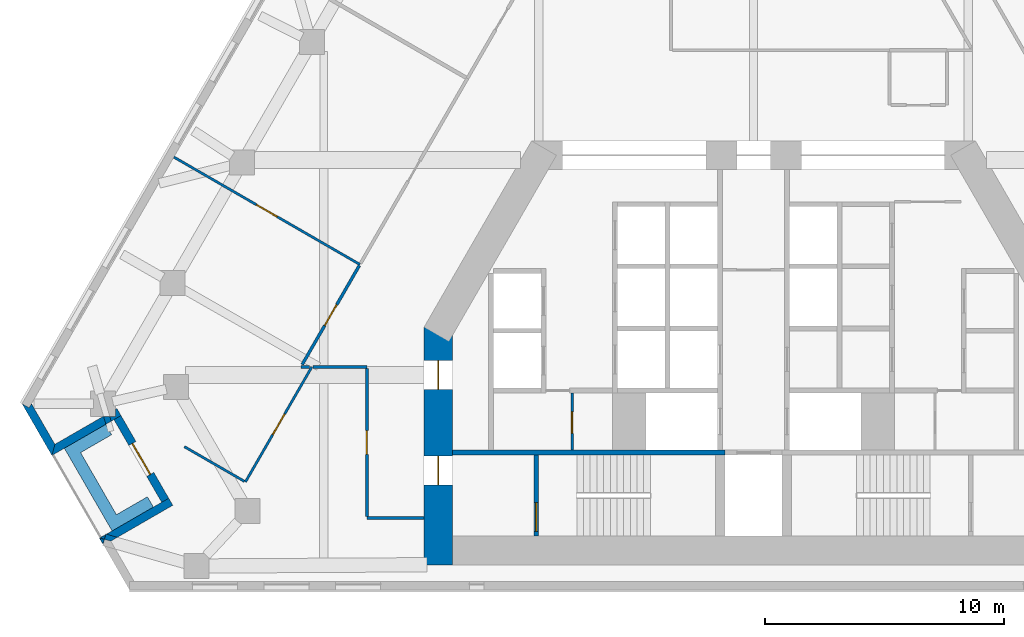
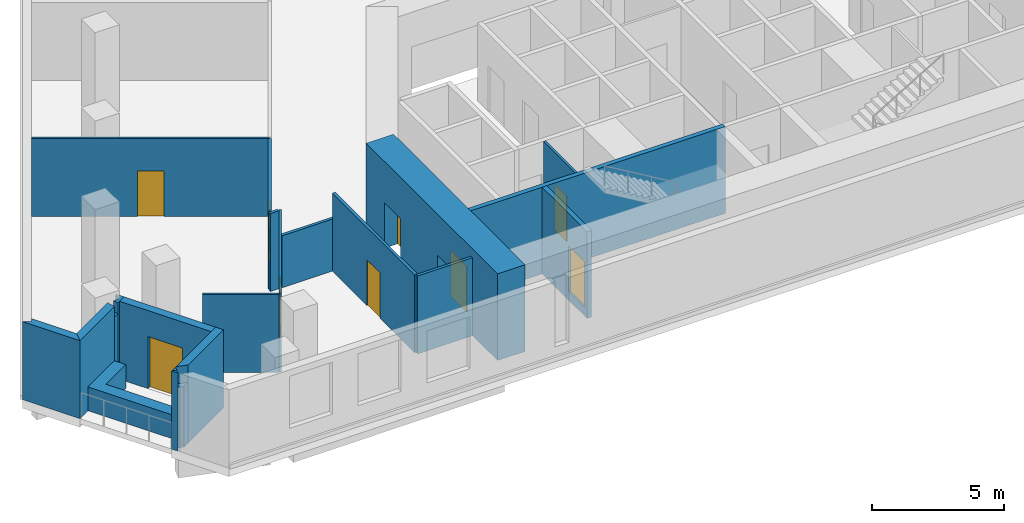
# One storey, part 3 of 9: 22 walls, 9 doors, 9 openings.
"""IFC4 building model written with IfcOpenShell, lengths in metres."""

from ifc_helpers import new_model, si_unit, direction, frame, frame_2d, origin, place, context, subcontext, project, spatial, polyline, rectangle, outline, extrude, material, layer, layer_set, type_object, element, fill, save


model = new_model("IFC4")

# Units and contexts
model_context = context("Model", 3, precision=1e-05, world=origin(), true_north=direction((0.0, 1.0)))
body_context = subcontext(model_context, "Body", "Model", "MODEL_VIEW")
ifc_project = project(units=[si_unit("LENGTHUNIT", "METRE"), si_unit("AREAUNIT", "SQUARE_METRE"), si_unit("VOLUMEUNIT", "CUBIC_METRE"), si_unit("PLANEANGLEUNIT", "RADIAN"), si_unit("MASSUNIT", "GRAM", prefix="KILO")], contexts=[model_context])

# Site, building, storey
site_placement = place(None, origin())
site = spatial("IfcSite", under=ifc_project, at=site_placement, CompositionType="ELEMENT")
building_placement = place(site_placement, origin())
building = spatial("IfcBuilding", under=site, at=building_placement, Name="Fogline Exchange Tower", CompositionType="ELEMENT")
storey_placement = place(building_placement, frame((0.0, 0.0, 100.10009765625)))
storey = spatial("IfcBuildingStorey", under=building, at=storey_placement, Name="L21", CompositionType="ELEMENT", Elevation=100.10009765625)

# Wall, opening, door
ifc_material_1 = material(Name="Blockwork partition", Category="masonry")
ifc_layer_1 = layer(ifc_material_1, 0.10009765625)
ifc_layer_set_1 = layer_set([ifc_layer_1], Name="CW10")
wall_type_1 = type_object("IfcWallType", Name="CW10", PredefinedType="PARTITIONING", material=ifc_layer_set_1)
wall_1_placement = place(storey_placement, frame((-7.60009765625, 5.85009765625, 0.0), z_axis=(0.0, 0.0, 1.0), x_axis=(0.0, 1.0, 0.0)))
wall_1 = element("IfcWall", 1, at=wall_1_placement, inside=storey, type_object=wall_type_1, Name="WC partition", PredefinedType="PARTITIONING", context=body_context, shape_type="SweptSolid", body=[
    extrude(rectangle(XDim=2.39990234375, YDim=0.10009765625, at=frame_2d((1.199951171875, 0.0))), origin(), (0.0, 0.0, 1.0), 3.599853515625),
])
opening_1_placement = place(wall_1_placement, frame((0.699951171875, 0.0, 0.0)))
opening_1 = element("IfcOpeningElement", 2, at=opening_1_placement, cuts=wall_1, Name="Opening T06-C008", PredefinedType="OPENING", context=body_context, shape_type="SweptSolid", body=[
    extrude(rectangle(XDim=0.89990234375, YDim=2.10009765625, at=frame_2d((0.449951171875, 1.050048828125))), frame((0.0, 0.06005859375, 0.0), z_axis=(0.0, -1.0, 0.0), x_axis=(1.0, 0.0, 0.0)), (0.0, 0.0, 1.0), 0.1201171875),
])
ifc_material_2 = material(Name="Steel and timber fire door", Category="steel")
door_type_1 = type_object("IfcDoorType", Name="D-CS1", OperationType="SINGLE_SWING_RIGHT", PredefinedType="DOOR", material=ifc_material_2)
door_1_placement = place(opening_1_placement, frame((0.89990234375, 0.0, 0.0), z_axis=(0.0, 0.0, 1.0), x_axis=(-1.0, 0.0, 0.0)))
door_1 = element("IfcDoor", 3, at=door_1_placement, inside=storey, type_object=door_type_1, Name="Door to Cleaner's Store", OperationType="SINGLE_SWING_RIGHT", OverallHeight=2.10009765625, OverallWidth=0.89990234375, PredefinedType="DOOR", context=body_context, shape_type="SweptSolid", body=[
    extrude(rectangle(XDim=0.89990234375, YDim=2.10009765625, at=frame_2d((0.449951171875, 1.050048828125))), frame((0.0, 0.02490234375, 0.0), z_axis=(0.0, -1.0, 0.0), x_axis=(1.0, 0.0, 0.0)), (0.0, 0.0, 1.0), 0.050048828125),
])
fill(opening_1, door_1)

# Wall
ifc_material_3 = material(Name="Concrete C40", Category="concrete")
ifc_layer_2 = layer(ifc_material_3, 0.199951171875)
ifc_layer_set_2 = layer_set([ifc_layer_2], Name="CW20R")
wall_type_2 = type_object("IfcWallType", Name="CW20R", PredefinedType="SOLIDWALL", material=ifc_layer_set_2)
wall_2_placement = place(storey_placement, frame((-12.60009765625, 5.75, -0.400146484375), z_axis=(0.0, 0.0, 1.0), x_axis=(1.0, 0.0, 0.0)))
element("IfcWall", 4, at=wall_2_placement, inside=storey, type_object=wall_type_2, Name="Stair enclosure wall", PredefinedType="SOLIDWALL", context=body_context, shape_type="SweptSolid", body=[
    extrude(rectangle(XDim=11.400146484375, YDim=0.199951171875, at=frame_2d((5.7001953125, 0.0))), origin(), (0.0, 0.0, 1.0), 4.0),
])

# Wall, opening, door
wall_3_placement = place(storey_placement, frame((-9.10009765625, 2.25, -0.400146484375), z_axis=(0.0, 0.0, 1.0), x_axis=(0.0, 1.0, 0.0)))
wall_3 = element("IfcWall", 5, at=wall_3_placement, inside=storey, type_object=wall_type_2, Name="Stair enclosure wall", PredefinedType="SOLIDWALL", context=body_context, shape_type="SweptSolid", body=[
    extrude(rectangle(XDim=3.39990234375, YDim=0.199951171875, at=frame_2d((1.699951171875, 0.0))), origin(), (0.0, 0.0, 1.0), 4.0),
])
opening_2_placement = place(wall_3_placement, frame((0.199951171875, 0.0, 0.39990234375)))
opening_2 = element("IfcOpeningElement", 6, at=opening_2_placement, cuts=wall_3, Name="Opening T06-C010", PredefinedType="OPENING", context=body_context, shape_type="SweptSolid", body=[
    extrude(rectangle(XDim=1.199951171875, YDim=2.10009765625, at=frame_2d((0.60009765625, 1.050048828125))), frame((0.0, 0.10986328125, 0.0), z_axis=(0.0, -1.0, 0.0), x_axis=(1.0, 0.0, 0.0)), (0.0, 0.0, 1.0), 0.219970703125),
])
door_type_2 = type_object("IfcDoorType", Name="D-ST1", OperationType="SINGLE_SWING_LEFT", PredefinedType="DOOR", material=ifc_material_2)
door_2_placement = place(opening_2_placement, frame((1.199951171875, 0.0, 0.0), z_axis=(0.0, 0.0, 1.0), x_axis=(-1.0, 0.0, 0.0)))
door_2 = element("IfcDoor", 7, at=door_2_placement, inside=storey, type_object=door_type_2, Name="Stair door ST1", OperationType="SINGLE_SWING_RIGHT", OverallHeight=2.10009765625, OverallWidth=1.199951171875, PredefinedType="DOOR", context=body_context, shape_type="SweptSolid", body=[
    extrude(rectangle(XDim=1.199951171875, YDim=2.10009765625, at=frame_2d((0.60009765625, 1.050048828125))), frame((0.0, 0.02490234375, 0.0), z_axis=(0.0, -1.0, 0.0), x_axis=(1.0, 0.0, 0.0)), (0.0, 0.0, 1.0), 0.050048828125),
])
fill(opening_2, door_2)

# Walls
ifc_material_4 = material(Name="Brick masonry", Category="masonry")
ifc_layer_3 = layer(ifc_material_4, 0.340087890625)
ifc_layer_set_3 = layer_set([ifc_layer_3], Name="FW1")
wall_type_3 = type_object("IfcWallType", Name="FW1", PredefinedType="SOLIDWALL", material=ifc_layer_set_3)
wall_4_placement = place(storey_placement, origin())
element("IfcWall", 8, at=wall_4_placement, inside=storey, type_object=wall_type_3, Name="Brick wall L21 SW-c1", PredefinedType="SOLIDWALL", context=body_context, shape_type="SweptSolid", body=[
    extrude(outline(polyline([(-29.387939453125, 5.6279296875), (-30.63916015625, 7.794921875), (-30.638671875, 7.79541015625), (-30.34375, 7.625), (-30.245361328125, 7.79541015625), (-29.262939453125, 6.09375), (-29.3876953125, 5.6279296875), (-29.387939453125, 5.6279296875)])), origin(), (0.0, 0.0, 1.0), 3.599853515625),
])
wall_5_placement = place(storey_placement, origin())
element("IfcWall", 9, at=wall_5_placement, inside=storey, type_object=wall_type_3, Name="Brick wall L21 SW-s1", PredefinedType="SOLIDWALL", context=body_context, shape_type="SweptSolid", body=[
    extrude(outline(polyline([(-26.966064453125, 7.269287109375), (-26.90576171875, 7.0615234375), (-27.128662109375, 6.932861328125), (-27.2265625, 7.269287109375), (-26.966064453125, 7.269287109375)])), origin(), (0.0, 0.0, 1.0), 3.099853515625),
])
wall_6_placement = place(storey_placement, origin())
element("IfcWall", 10, at=wall_6_placement, inside=storey, type_object=wall_type_3, Name="Brick wall L21 SW-s1", PredefinedType="SOLIDWALL", context=body_context, shape_type="SweptSolid", body=[
    extrude(outline(polyline([(-27.2265625, 7.269287109375), (-27.128662109375, 6.932861328125), (-29.388671875, 5.628173828125), (-29.388916015625, 5.62841796875), (-29.26416015625, 6.093994140625), (-27.228515625, 7.269287109375), (-27.2265625, 7.269287109375)])), origin(), (0.0, 0.0, 1.0), 3.599853515625),
])
wall_7_placement = place(storey_placement, origin())
element("IfcWall", 11, at=wall_7_placement, inside=storey, type_object=wall_type_3, Name="Brick wall L21 SW-s1", PredefinedType="SOLIDWALL", context=body_context, shape_type="SweptSolid", body=[
    extrude(outline(polyline([(-26.72412109375, 7.269287109375), (-26.72412109375, 7.560546875), (-26.665283203125, 7.594482421875), (-26.49462890625, 7.298828125), (-26.78955078125, 7.128662109375), (-26.90576171875, 7.0615234375), (-26.966064453125, 7.269287109375), (-26.72412109375, 7.269287109375)])), origin(), (0.0, 0.0, 1.0), 3.599853515625),
])

# Wall, opening, door
wall_8_placement = place(storey_placement, frame((-26.642822265625, 7.214111328125, 0.0), z_axis=(0.0, 0.0, 1.0), x_axis=(0.49999894854, -0.866026010844, 0.0)))
wall_8 = element("IfcWall", 12, at=wall_8_placement, inside=storey, type_object=wall_type_3, Name="Brick wall L21 SW-bk", PredefinedType="SOLIDWALL", context=body_context, shape_type="SweptSolid", body=[
    extrude(rectangle(XDim=4.0, YDim=0.340087890625, at=frame_2d((2.0, 0.0))), origin(), (0.0, 0.0, 1.0), 3.599853515625),
])
opening_3_placement = place(wall_8_placement, frame((1.25, 0.0, 0.0)))
opening_3 = element("IfcOpeningElement", 13, at=opening_3_placement, cuts=wall_8, Name="Opening T06-E021", PredefinedType="OPENING", context=body_context, shape_type="SweptSolid", body=[
    extrude(rectangle(XDim=1.5, YDim=2.39990234375, at=frame_2d((0.75, 1.199951171875))), frame((0.0, 0.18017578125, 0.0), z_axis=(0.0, -1.0, 0.0), x_axis=(1.0, 0.0, 0.0)), (0.0, 0.0, 1.0), 0.360107421875),
])
ifc_material_5 = material(Name="Aluminium and glass", Category="aluminium")
door_type_3 = type_object("IfcDoorType", Name="ED4", OperationType="SINGLE_SWING_LEFT", PredefinedType="DOOR", material=ifc_material_5)
door_3_placement = place(opening_3_placement, frame((1.5, 0.0, 0.0), z_axis=(0.0, 0.0, 1.0), x_axis=(-1.0, 0.0, 0.0)))
door_3 = element("IfcDoor", 14, at=door_3_placement, inside=storey, type_object=door_type_3, Name="Balcony door L21 SW", OperationType="DOUBLE_DOOR_SINGLE_SWING", OverallHeight=2.39990234375, OverallWidth=1.5, PredefinedType="DOOR", context=body_context, shape_type="SweptSolid", body=[
    extrude(rectangle(XDim=1.5, YDim=2.39990234375, at=frame_2d((0.75, 1.199951171875))), frame((0.0, 0.02490234375, 0.0), z_axis=(0.0, -1.0, 0.0), x_axis=(1.0, 0.0, 0.0)), (0.0, 0.0, 1.0), 0.050048828125),
])
fill(opening_3, door_3)

# Walls
wall_9_placement = place(storey_placement, origin())
element("IfcWall", 15, at=wall_9_placement, inside=storey, type_object=wall_type_3, Name="Brick wall L21 SW-s2", PredefinedType="SOLIDWALL", context=body_context, shape_type="SweptSolid", body=[
    extrude(outline(polyline([(-27.10400390625, 2.32958984375), (-26.646240234375, 2.199951171875), (-26.923583984375, 2.0400390625), (-27.1943359375, 2.112548828125), (-27.138427734375, 2.309814453125), (-27.10400390625, 2.32958984375)])), origin(), (0.0, 0.0, 1.0), 2.7998046875),
])
wall_10_placement = place(storey_placement, origin())
element("IfcWall", 16, at=wall_10_placement, inside=storey, type_object=wall_type_3, Name="Brick wall L21 SW-s2", PredefinedType="SOLIDWALL", context=body_context, shape_type="SweptSolid", body=[
    extrude(outline(polyline([(-27.138427734375, 2.309814453125), (-27.1943359375, 2.112548828125), (-27.38916015625, 2.164794921875), (-27.38916015625, 2.1650390625), (-27.138427734375, 2.309814453125)])), origin(), (0.0, 0.0, 1.0), 3.599853515625),
])
wall_11_placement = place(storey_placement, origin())
element("IfcWall", 17, at=wall_11_placement, inside=storey, type_object=wall_type_3, Name="Brick wall L21 SW-s2", PredefinedType="SOLIDWALL", context=body_context, shape_type="SweptSolid", body=[
    extrude(outline(polyline([(-24.790283203125, 3.66552734375), (-24.495361328125, 3.8359375), (-24.32470703125, 3.540283203125), (-26.646240234375, 2.199951171875), (-27.10400390625, 2.32958984375), (-24.790283203125, 3.66552734375)])), origin(), (0.0, 0.0, 1.0), 3.599853515625),
])
wall_12_placement = place(storey_placement, origin())
element("IfcWall", 18, at=wall_12_placement, inside=storey, type_object=wall_type_3, Name="Brick wall L21 SW-c2", PredefinedType="SOLIDWALL", context=body_context, shape_type="SweptSolid", body=[
    extrude(outline(polyline([(-27.38916015625, 2.165771484375), (-27.388916015625, 2.166015625), (-27.194091796875, 2.11376953125), (-27.248291015625, 1.921875), (-27.38916015625, 2.165771484375)])), origin(), (0.0, 0.0, 1.0), 3.599853515625),
])
ifc_material_6 = material(Name="Concrete C30", Category="concrete")
ifc_layer_4 = layer(ifc_material_6, 0.199951171875)
ifc_layer_set_4 = layer_set([ifc_layer_4], Name="PL1")
wall_type_4 = type_object("IfcWallType", Name="PL1", PredefinedType="USERDEFINED", material=ifc_layer_set_4)
wall_13_placement = place(storey_placement, origin())
element("IfcWall", 19, at=wall_13_placement, inside=storey, type_object=wall_type_4, Name="PLANTER balcony L21 SW", ObjectType="PLANTER", PredefinedType="USERDEFINED", context=body_context, shape_type="SweptSolid", body=[
    extrude(outline(polyline([(-25.386474609375, 3.898193359375), (-26.685302734375, 3.148193359375), (-28.185302734375, 5.74609375), (-26.886474609375, 6.49609375), (-27.136474609375, 6.92919921875), (-28.868408203125, 5.92919921875), (-26.868408203125, 2.465087890625), (-26.435302734375, 2.715087890625), (-26.435302734375, 2.715087890625), (-25.136474609375, 3.465087890625), (-25.386474609375, 3.898193359375)])), origin(), (0.0, 0.0, 1.0), 1.099853515625),
])

# Wall, opening, door
ifc_material_7 = material(Name="Plasterboard partition, 2 layers each side on steel studs", Category="steel")
ifc_layer_5 = layer(ifc_material_7, 0.10009765625)
ifc_layer_set_5 = layer_set([ifc_layer_5], Name="PW1")
wall_type_5 = type_object("IfcWallType", Name="PW1", PredefinedType="PARTITIONING", material=ifc_layer_set_5)
wall_14_placement = place(storey_placement, frame((-16.486083984375, 13.626220703125, 0.0), z_axis=(0.0, 0.0, 1.0), x_axis=(-0.866024315419, 0.5000018851, 0.0)))
wall_14 = element("IfcWall", 20, at=wall_14_placement, inside=storey, type_object=wall_type_5, Name="wall-L21-W041", PredefinedType="PARTITIONING", context=body_context, shape_type="SweptSolid", body=[
    extrude(rectangle(XDim=9.0, YDim=0.10009765625, at=frame_2d((4.5, 0.0))), origin(), (0.0, 0.0, 1.0), 3.599853515625),
])
opening_4_placement = place(wall_14_placement, frame((4.0, 0.0, 0.0)))
opening_4 = element("IfcOpeningElement", 21, at=opening_4_placement, cuts=wall_14, Name="Opening T06-D017", PredefinedType="OPENING", context=body_context, shape_type="SweptSolid", body=[
    extrude(rectangle(XDim=1.0, YDim=2.10009765625, at=frame_2d((0.5, 1.050048828125))), frame((0.0, 0.06005859375, 0.0), z_axis=(0.0, -1.0, 0.0), x_axis=(1.0, 0.0, 0.0)), (0.0, 0.0, 1.0), 0.1201171875),
])
ifc_material_8 = material(Name="Timber door leaf with steel frame", Category="steel")
door_type_4 = type_object("IfcDoorType", Name="D1", OperationType="SINGLE_SWING_LEFT", PredefinedType="DOOR", material=ifc_material_8)
door_4_placement = place(opening_4_placement, frame((1.0, 0.0, 0.0), z_axis=(0.0, 0.0, 1.0), x_axis=(-1.0, 0.0, 0.0)))
door_4 = element("IfcDoor", 22, at=door_4_placement, inside=storey, type_object=door_type_4, Name="door-L21-D017", OperationType="SINGLE_SWING_RIGHT", OverallHeight=2.10009765625, OverallWidth=1.0, PredefinedType="DOOR", context=body_context, shape_type="SweptSolid", body=[
    extrude(rectangle(XDim=1.0, YDim=2.10009765625, at=frame_2d((0.5, 1.050048828125))), frame((0.0, 0.02490234375, 0.0), z_axis=(0.0, -1.0, 0.0), x_axis=(1.0, 0.0, 0.0)), (0.0, 0.0, 1.0), 0.050048828125),
])
fill(opening_4, door_4)

wall_15_placement = place(storey_placement, frame((-18.498779296875, 9.340087890625, 0.0), z_axis=(0.0, 0.0, 1.0), x_axis=(-0.500007201891, -0.866021245731, 0.0)))
wall_15 = element("IfcWall", 23, at=wall_15_placement, inside=storey, type_object=wall_type_5, Name="wall-L21-W042", PredefinedType="PARTITIONING", context=body_context, shape_type="SweptSolid", body=[
    extrude(rectangle(XDim=5.56640625, YDim=0.10009765625, at=frame_2d((2.783203125, 0.0))), origin(), (0.0, 0.0, 1.0), 3.599853515625),
])
opening_5_placement = place(wall_15_placement, frame((2.283203125, 0.0, 0.0)))
opening_5 = element("IfcOpeningElement", 24, at=opening_5_placement, cuts=wall_15, Name="Opening T06-D018", PredefinedType="OPENING", context=body_context, shape_type="SweptSolid", body=[
    extrude(rectangle(XDim=1.0, YDim=2.10009765625, at=frame_2d((0.5, 1.050048828125))), frame((0.0, 0.06005859375, 0.0), z_axis=(0.0, -1.0, 0.0), x_axis=(1.0, 0.0, 0.0)), (0.0, 0.0, 1.0), 0.1201171875),
])
door_5_placement = place(opening_5_placement, origin())
door_5 = element("IfcDoor", 25, at=door_5_placement, inside=storey, type_object=door_type_4, Name="door-L21-D018", OperationType="SINGLE_SWING_LEFT", OverallHeight=2.10009765625, OverallWidth=1.0, PredefinedType="DOOR", context=body_context, shape_type="SweptSolid", body=[
    extrude(rectangle(XDim=1.0, YDim=2.10009765625, at=frame_2d((0.5, 1.050048828125))), frame((0.0, 0.02490234375, 0.0), z_axis=(0.0, -1.0, 0.0), x_axis=(1.0, 0.0, 0.0)), (0.0, 0.0, 1.0), 0.050048828125),
])
fill(opening_5, door_5)

# Walls
wall_16_placement = place(storey_placement, frame((-21.3251953125, 4.54443359375, 0.0), z_axis=(0.0, 0.0, 1.0), x_axis=(-0.866038412228, 0.499977468037, 0.0)))
element("IfcWall", 26, at=wall_16_placement, inside=storey, type_object=wall_type_5, Name="wall-L21-W043", PredefinedType="PARTITIONING", context=body_context, shape_type="SweptSolid", body=[
    extrude(rectangle(XDim=2.900634765625, YDim=0.10009765625, at=frame_2d((1.4501953125, 0.0))), origin(), (0.0, 0.0, 1.0), 3.599853515625),
])
ifc_material_9 = material(Name="Plasterboard corridor partition with mineral wool, 2 layers each side")
ifc_layer_6 = layer(ifc_material_9, 0.125)
ifc_layer_set_6 = layer_set([ifc_layer_6], Name="PW2")
wall_type_6 = type_object("IfcWallType", Name="PW2", PredefinedType="PARTITIONING", material=ifc_layer_set_6)
wall_17_placement = place(storey_placement, frame((-13.800048828125, 3.0, 0.0), z_axis=(0.0, 0.0, 1.0), x_axis=(-1.0, 0.0, 0.0)))
element("IfcWall", 27, at=wall_17_placement, inside=storey, type_object=wall_type_6, Name="wall-L21-W008", PredefinedType="PARTITIONING", context=body_context, shape_type="SweptSolid", body=[
    extrude(rectangle(XDim=2.39990234375, YDim=0.125, at=frame_2d((1.199951171875, 0.0))), origin(), (0.0, 0.0, 1.0), 3.599853515625),
])

# Wall, opening, door
wall_18_placement = place(storey_placement, frame((-16.199951171875, 3.0625, 0.0), z_axis=(0.0, 0.0, 1.0), x_axis=(0.0, 1.0, 0.0)))
wall_18 = element("IfcWall", 28, at=wall_18_placement, inside=storey, type_object=wall_type_6, Name="wall-L21-W009", PredefinedType="PARTITIONING", context=body_context, shape_type="SweptSolid", body=[
    extrude(rectangle(XDim=6.215087890625, YDim=0.125, at=frame_2d((3.107421875, 0.0))), origin(), (0.0, 0.0, 1.0), 3.599853515625),
])
opening_6_placement = place(wall_18_placement, frame((2.607421875, 0.0, 0.0)))
opening_6 = element("IfcOpeningElement", 29, at=opening_6_placement, cuts=wall_18, Name="Opening T06-D003", PredefinedType="OPENING", context=body_context, shape_type="SweptSolid", body=[
    extrude(rectangle(XDim=1.0, YDim=2.10009765625, at=frame_2d((0.5, 1.050048828125))), frame((0.0, 0.072509765625, 0.0), z_axis=(0.0, -1.0, 0.0), x_axis=(1.0, 0.0, 0.0)), (0.0, 0.0, 1.0), 0.14501953125),
])
ifc_material_10 = material(Name="Fire-rated timber door leaf with steel frame", Category="steel")
door_type_5 = type_object("IfcDoorType", Name="D3", OperationType="SINGLE_SWING_LEFT", PredefinedType="DOOR", material=ifc_material_10)
door_6_placement = place(opening_6_placement, origin())
door_6 = element("IfcDoor", 30, at=door_6_placement, inside=storey, type_object=door_type_5, Name="door-L21-D003", OperationType="SINGLE_SWING_LEFT", OverallHeight=2.10009765625, OverallWidth=1.0, PredefinedType="DOOR", context=body_context, shape_type="SweptSolid", body=[
    extrude(rectangle(XDim=1.0, YDim=2.10009765625, at=frame_2d((0.5, 1.050048828125))), frame((0.0, 0.02490234375, 0.0), z_axis=(0.0, -1.0, 0.0), x_axis=(1.0, 0.0, 0.0)), (0.0, 0.0, 1.0), 0.050048828125),
])
fill(opening_6, door_6)

# Wall
wall_19_placement = place(storey_placement, frame((-18.593017578125, 9.340087890625, 0.0), z_axis=(0.0, 0.0, 1.0), x_axis=(-1.0, 0.0, 0.0)))
element("IfcWall", 31, at=wall_19_placement, inside=storey, type_object=wall_type_6, Name="wall-L21-W014", PredefinedType="PARTITIONING", context=body_context, shape_type="SweptSolid", body=[
    extrude(rectangle(XDim=0.36767578125, YDim=0.125, at=frame_2d((0.183837890625, 0.0))), origin(), (0.0, 0.0, 1.0), 3.599853515625),
])

# Wall, opening, door
wall_20_placement = place(storey_placement, frame((-18.90625, 9.43408203125, 0.0), z_axis=(0.0, 0.0, 1.0), x_axis=(0.499948937441, 0.86605488276, 0.0)))
wall_20 = element("IfcWall", 32, at=wall_20_placement, inside=storey, type_object=wall_type_6, Name="wall-L21-W015", PredefinedType="PARTITIONING", context=body_context, shape_type="SweptSolid", body=[
    extrude(rectangle(XDim=4.7900390625, YDim=0.125, at=frame_2d((2.39501953125, 0.0))), origin(), (0.0, 0.0, 1.0), 3.599853515625),
])
opening_7_placement = place(wall_20_placement, frame((1.89501953125, 0.0, 0.0)))
opening_7 = element("IfcOpeningElement", 33, at=opening_7_placement, cuts=wall_20, Name="Opening T06-D007", PredefinedType="OPENING", context=body_context, shape_type="SweptSolid", body=[
    extrude(rectangle(XDim=1.0, YDim=2.10009765625, at=frame_2d((0.5, 1.050048828125))), frame((0.0, 0.072509765625, 0.0), z_axis=(0.0, -1.0, 0.0), x_axis=(1.0, 0.0, 0.0)), (0.0, 0.0, 1.0), 0.14501953125),
])
door_7_placement = place(opening_7_placement, origin())
door_7 = element("IfcDoor", 34, at=door_7_placement, inside=storey, type_object=door_type_5, Name="door-L21-D007", OperationType="SINGLE_SWING_RIGHT", OverallHeight=2.10009765625, OverallWidth=1.0, PredefinedType="DOOR", context=body_context, shape_type="SweptSolid", body=[
    extrude(rectangle(XDim=1.0, YDim=2.10009765625, at=frame_2d((0.5, 1.050048828125))), frame((0.0, 0.02490234375, 0.0), z_axis=(0.0, -1.0, 0.0), x_axis=(1.0, 0.0, 0.0)), (0.0, 0.0, 1.0), 0.050048828125),
])
fill(opening_7, door_7)

# Wall
wall_21_placement = place(storey_placement, frame((-16.199951171875, 9.340087890625, 0.0), z_axis=(0.0, 0.0, 1.0), x_axis=(-1.0, 0.0, 0.0)))
element("IfcWall", 35, at=wall_21_placement, inside=storey, type_object=wall_type_6, Name="wall-L21-W016", PredefinedType="PARTITIONING", context=body_context, shape_type="SweptSolid", body=[
    extrude(rectangle(XDim=2.255126953125, YDim=0.125, at=frame_2d((1.12744140625, 0.0))), origin(), (0.0, 0.0, 1.0), 2.39990234375),
])

# Wall, openings, doors
ifc_material_11 = material(Name="Concrete C60", Category="concrete")
ifc_layer_7 = layer(ifc_material_11, 1.199951171875)
ifc_layer_set_7 = layer_set([ifc_layer_7], Name="SW02")
wall_type_7 = type_object("IfcWallType", Name="SW02", PredefinedType="SHEAR", material=ifc_layer_set_7)
wall_22_placement = place(storey_placement, frame((-13.199951171875, 10.9990234375, 0.0), z_axis=(0.0, 0.0, 1.0), x_axis=(0.0, -1.0, 0.0)))
wall_22 = element("IfcWall", 36, at=wall_22_placement, inside=storey, type_object=wall_type_7, Name="L21-W906", PredefinedType="SHEAR", context=body_context, shape_type="SweptSolid", body=[
    extrude(rectangle(XDim=9.948974609375, YDim=1.199951171875, at=frame_2d((4.974609375, 0.0))), origin(), (0.0, 0.0, 1.0), 4.0),
])
opening_8_placement = place(wall_22_placement, frame((5.39892578125, 0.0, 0.0)))
opening_8 = element("IfcOpeningElement", 37, at=opening_8_placement, cuts=wall_22, Name="Opening T06-C009", PredefinedType="OPENING", context=body_context, shape_type="SweptSolid", body=[
    extrude(rectangle(XDim=1.199951171875, YDim=2.10009765625, at=frame_2d((0.60009765625, 1.050048828125))), frame((0.0, 0.60986328125, 0.0), z_axis=(0.0, -1.0, 0.0), x_axis=(1.0, 0.0, 0.0)), (0.0, 0.0, 1.0), 1.219970703125),
])
opening_9_placement = place(wall_22_placement, frame((1.39892578125, 0.0, 0.0)))
opening_9 = element("IfcOpeningElement", 38, at=opening_9_placement, cuts=wall_22, Name="Opening T06-C011", PredefinedType="OPENING", context=body_context, shape_type="SweptSolid", body=[
    extrude(rectangle(XDim=1.199951171875, YDim=2.10009765625, at=frame_2d((0.60009765625, 1.050048828125))), frame((0.0, 0.60986328125, 0.0), z_axis=(0.0, -1.0, 0.0), x_axis=(1.0, 0.0, 0.0)), (0.0, 0.0, 1.0), 1.219970703125),
])
door_type_6 = type_object("IfcDoorType", Name="D-FR1", OperationType="SINGLE_SWING_RIGHT", PredefinedType="DOOR", material=ifc_material_2)
door_8_placement = place(opening_8_placement, origin())
door_8 = element("IfcDoor", 39, at=door_8_placement, inside=storey, type_object=door_type_6, Name="Front room door ST1", OperationType="SINGLE_SWING_LEFT", OverallHeight=2.10009765625, OverallWidth=1.199951171875, PredefinedType="DOOR", context=body_context, shape_type="SweptSolid", body=[
    extrude(rectangle(XDim=1.199951171875, YDim=2.10009765625, at=frame_2d((0.60009765625, 1.050048828125))), frame((0.0, 0.02490234375, 0.0), z_axis=(0.0, -1.0, 0.0), x_axis=(1.0, 0.0, 0.0)), (0.0, 0.0, 1.0), 0.050048828125),
])
fill(opening_8, door_8)
door_type_7 = type_object("IfcDoorType", Name="D-SV1", OperationType="SINGLE_SWING_LEFT", PredefinedType="DOOR", material=ifc_material_2)
door_9_placement = place(opening_9_placement, origin())
door_9 = element("IfcDoor", 40, at=door_9_placement, inside=storey, type_object=door_type_7, Name="Service door W", OperationType="SINGLE_SWING_LEFT", OverallHeight=2.10009765625, OverallWidth=1.199951171875, PredefinedType="DOOR", context=body_context, shape_type="SweptSolid", body=[
    extrude(rectangle(XDim=1.199951171875, YDim=2.10009765625, at=frame_2d((0.60009765625, 1.050048828125))), frame((0.0, 0.02490234375, 0.0), z_axis=(0.0, -1.0, 0.0), x_axis=(1.0, 0.0, 0.0)), (0.0, 0.0, 1.0), 0.050048828125),
])
fill(opening_9, door_9)

save(model, "model.ifc")
